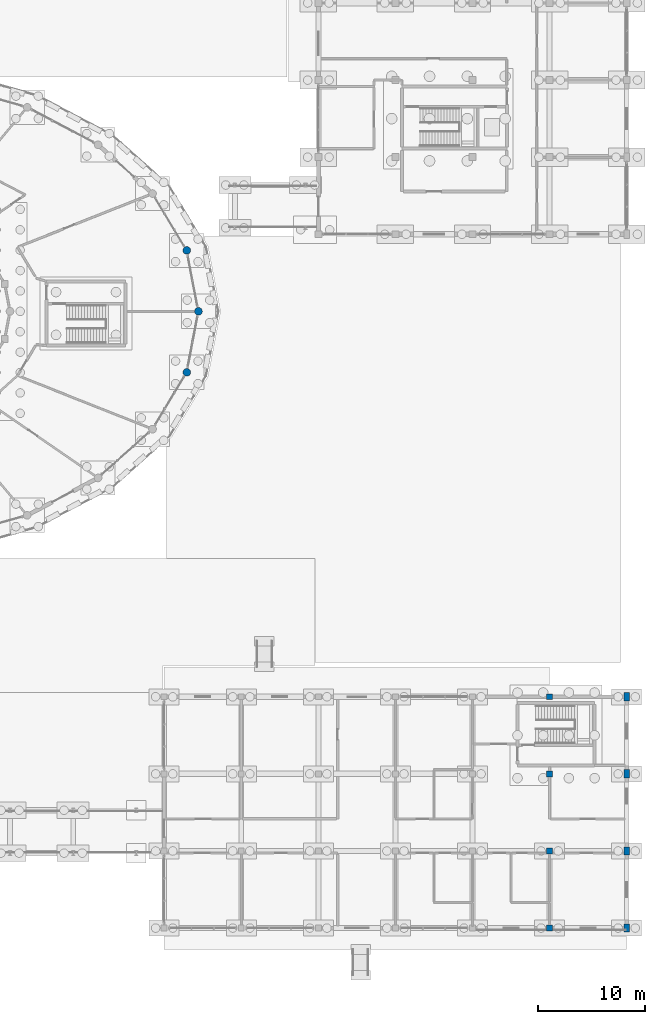
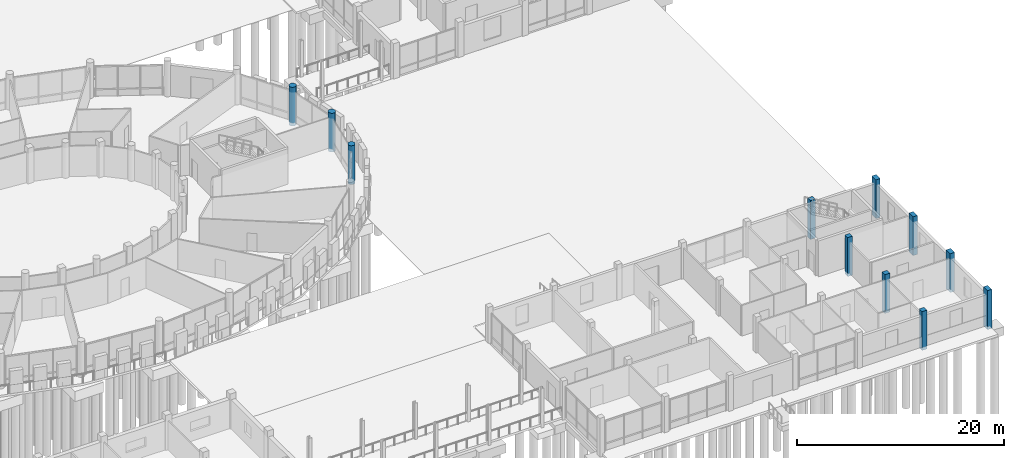
# One storey, part 14 of 98: 11 columns.
"""IFC4 building model written with IfcOpenShell, lengths in metres."""

import ifcopenshell
import ifcopenshell.guid

model = None  # the IFC model being written
_history = None  # IfcOwnerHistory: only IFC2X3 demands one
_inside = {}  # id of a spatial element -> (the spatial element, [elements in it])
_under = {}  # id of a project, library or spatial element -> (it, [spatial elements below it])
_declared = {}  # id of a project -> (the project, [libraries it declares])
_typed = {}  # id of a type object -> (the type object, [elements of that type])
_made_of = {}  # id of a material, layer set ... -> (it, [elements and type objects made of it])


def new_model(schema):
    """Start an empty IFC model of exactly this schema.

    Asked for "IFC4X3", IfcOpenShell would pick the latest addendum, in which some entities
    have other attributes; the version numbers below select the first issue.
    IFC2X3 requires an IfcOwnerHistory on every rooted entity: one is made here for all.
    """
    global model, _history
    if schema == "IFC4X3":
        model = ifcopenshell.file(schema_version=(4, 3, 0, 0))
    else:
        model = ifcopenshell.file(schema=schema)
    _inside.clear()
    _under.clear()
    _declared.clear()
    _typed.clear()
    _made_of.clear()
    _history = None
    if model.schema == "IFC2X3":
        org = make("IfcOrganization", Name="unknown")
        user = make(
            "IfcPersonAndOrganization",
            ThePerson=make("IfcPerson", FamilyName="unknown"),
            TheOrganization=org,
        )
        app = make(
            "IfcApplication",
            ApplicationDeveloper=org,
            Version="unknown",
            ApplicationFullName="unknown",
            ApplicationIdentifier="unknown",
        )
        _history = make(
            "IfcOwnerHistory",
            OwningUser=user,
            OwningApplication=app,
            ChangeAction="ADDED",
            CreationDate=0,
        )
    return model


def make(cls, **values):
    """One entity of the class cls with the attributes given. An attribute that is None is left unset."""
    return model.create_entity(
        cls, **{name: value for name, value in values.items() if value is not None}
    )


def rooted(cls, **values):
    """An entity with a GlobalId (a new one), such as an element, a storey or a relation."""
    return make(cls, GlobalId=ifcopenshell.guid.new(), OwnerHistory=_history, **values)


def si_unit(unit_type, name, prefix=None):
    """IfcSIUnit, for example si_unit("LENGTHUNIT", "METRE", prefix="MILLI")."""
    return make("IfcSIUnit", UnitType=unit_type, Prefix=prefix, Name=name)


def assignment(units):
    """IfcUnitAssignment: the units of a project."""
    return None if units is None else make("IfcUnitAssignment", Units=units)


def point(xyz):
    """IfcCartesianPoint."""
    return None if xyz is None else make("IfcCartesianPoint", Coordinates=xyz)


def direction(xyz):
    """IfcDirection."""
    return None if xyz is None else make("IfcDirection", DirectionRatios=xyz)


def frame(location, z_axis=None, x_axis=None):
    """IfcAxis2Placement3D, a coordinate frame: its origin and axes. An axis left out is left unset."""
    return make(
        "IfcAxis2Placement3D",
        Location=point(location),
        Axis=direction(z_axis),
        RefDirection=direction(x_axis),
    )


def frame_2d(location, x_axis=None):
    """IfcAxis2Placement2D, a coordinate frame in the plane: its origin and x axis."""
    return make(
        "IfcAxis2Placement2D", Location=point(location), RefDirection=direction(x_axis)
    )


def origin():
    """The frame at (0, 0, 0) with its axes left unset."""
    return frame((0.0, 0.0, 0.0))


def origin_2d():
    """The frame at (0, 0) in the plane with its x axis left unset."""
    return frame_2d((0.0, 0.0))


def place(relative_to, where):
    """IfcLocalPlacement: puts the frame where relative to a parent placement (None: the world)."""
    return make(
        "IfcLocalPlacement", PlacementRelTo=relative_to, RelativePlacement=where
    )


def context(
    kind, dimensions, precision=None, world=None, true_north=None, identifier=None
):
    """IfcGeometricRepresentationContext, for example the 3D "Model" context."""
    return make(
        "IfcGeometricRepresentationContext",
        ContextIdentifier=identifier,
        ContextType=kind,
        CoordinateSpaceDimension=dimensions,
        Precision=precision,
        WorldCoordinateSystem=world,
        TrueNorth=true_north,
    )


def subcontext(parent, identifier, kind, view, scale=None):
    """IfcGeometricRepresentationSubContext, for example "Body" below "Model"."""
    return make(
        "IfcGeometricRepresentationSubContext",
        ContextIdentifier=identifier,
        ContextType=kind,
        ParentContext=parent,
        TargetScale=scale,
        TargetView=view,
    )


def project(units=None, contexts=None):
    """IfcProject with its units and contexts."""
    return rooted(
        "IfcProject",
        Name="project",
        RepresentationContexts=contexts,
        UnitsInContext=assignment(units),
    )


def spatial(cls, under=None, at=None, **own):
    """A site, building, storey or space (cls), placed at a placement, below another one or the project."""
    s = rooted(cls, ObjectPlacement=at, **own)
    if under is not None:
        _under.setdefault(under.id(), (under, []))[1].append(s)
    return s


def profile(cls, at=None, kind="AREA", **sizes):
    """A parametric profile (cls). Its sizes go by their IFC names, for example OverallWidth=200.0."""
    return make(cls, ProfileType=kind, Position=at, **sizes)


def rectangle(**sizes):
    """IfcRectangleProfileDef."""
    return profile("IfcRectangleProfileDef", **sizes)


def circle(**sizes):
    """IfcCircleProfileDef."""
    return profile("IfcCircleProfileDef", **sizes)


def extrude(swept, where, along, depth):
    """IfcExtrudedAreaSolid: the profile swept, set in the frame where, extruded along a direction by depth."""
    return make(
        "IfcExtrudedAreaSolid",
        SweptArea=swept,
        Position=where,
        ExtrudedDirection=direction(along),
        Depth=depth,
    )


def shape(context_of_items, identifier, shape_type, items):
    """IfcShapeRepresentation: the items that make up one representation, for example the "Body"."""
    return make(
        "IfcShapeRepresentation",
        ContextOfItems=context_of_items,
        RepresentationIdentifier=identifier,
        RepresentationType=shape_type,
        Items=items,
    )


def material(Name=None, Category=None):
    """IfcMaterial."""
    return make("IfcMaterial", Name=Name, Category=Category)


def material_profile(
    of_material, cross_section, Name=None, Category=None, Priority=None
):
    """IfcMaterialProfile: a cross section and its material."""
    return make(
        "IfcMaterialProfile",
        Name=Name,
        Material=of_material,
        Profile=cross_section,
        Priority=Priority,
        Category=Category,
    )


def profile_set(profiles, Name=None, composite=None):
    """IfcMaterialProfileSet."""
    return make(
        "IfcMaterialProfileSet",
        Name=Name,
        MaterialProfiles=profiles,
        CompositeProfile=composite,
    )


def made_of(thing, what):
    """Note that an element or type object is made of a material, layer set ...; save() writes the relation."""
    if what is not None:
        _made_of.setdefault(what.id(), (what, []))[1].append(thing)
    return thing


def type_object(cls, material=None, **own):
    """A type object (cls), such as IfcWallType, which elements share."""
    return made_of(rooted(cls, **own), material)


def element(
    cls,
    number,
    at=None,
    inside=None,
    cuts=None,
    type_object=None,
    material=None,
    context=None,
    identifier="Body",
    shape_type=None,
    held_by="IfcProductDefinitionShape",
    body=None,
    shapes=None,
    **own,
):
    """One element of the class cls, such as IfcWall. Its Tag is "e" and its number.

    at: its placement. inside: the storey or other place that contains it. cuts: it is an
    opening in that element (IfcRelVoidsElement). A single representation is given by context,
    identifier, shape_type and body (its items); several are given by shapes. held_by: the class
    of the entity that holds the representations. save() writes the other relations.
    """
    e = rooted(cls, Tag="e%d" % number, ObjectPlacement=at, **own)
    if body is not None:
        shapes = [shape(context, identifier, shape_type, body)]
    if shapes is not None:
        e.Representation = make(held_by, Representations=shapes)
    if inside is not None:
        _inside.setdefault(inside.id(), (inside, []))[1].append(e)
    if cuts is not None:
        rooted(
            "IfcRelVoidsElement", RelatingBuildingElement=cuts, RelatedOpeningElement=e
        )
    if type_object is not None:
        _typed.setdefault(type_object.id(), (type_object, []))[1].append(e)
    return made_of(e, material)


def aggregate(whole, parts):
    """IfcRelAggregates: a whole, such as a stair, and the parts it consists of."""
    return rooted("IfcRelAggregates", RelatingObject=whole, RelatedObjects=parts)


def save(model, path):
    """Write the relations noted so far, then the file.

    IfcRelAggregates (storeys below a building ...), IfcRelContainedInSpatialStructure (elements
    in a storey), IfcRelDefinesByType, IfcRelAssociatesMaterial and IfcRelDeclares: one each for
    every whole, place, type object, material and project.
    """
    for whole, parts in _under.values():
        aggregate(whole, parts)
    for where, things in _inside.values():
        rooted(
            "IfcRelContainedInSpatialStructure",
            RelatedElements=things,
            RelatingStructure=where,
        )
    for kind, things in _typed.values():
        rooted("IfcRelDefinesByType", RelatedObjects=things, RelatingType=kind)
    for what, things in _made_of.values():
        rooted("IfcRelAssociatesMaterial", RelatedObjects=things, RelatingMaterial=what)
    for by, libraries in _declared.values():
        rooted("IfcRelDeclares", RelatingContext=by, RelatedDefinitions=libraries)
    model.write(path)


model = new_model("IFC4")

# Units and contexts
model_context = context("Model", 3, precision=1e-05, world=origin(), true_north=direction((0.0, 1.0)))
body_context = subcontext(model_context, "Body", "Model", "MODEL_VIEW")
ifc_project = project(units=[si_unit("LENGTHUNIT", "METRE"), si_unit("AREAUNIT", "SQUARE_METRE"), si_unit("VOLUMEUNIT", "CUBIC_METRE"), si_unit("PLANEANGLEUNIT", "RADIAN"), si_unit("MASSUNIT", "GRAM", prefix="KILO")], contexts=[model_context])

# Site, building, storey
site_placement = place(None, origin())
site = spatial("IfcSite", under=ifc_project, at=site_placement, CompositionType="ELEMENT")
building_placement = place(site_placement, origin())
building = spatial("IfcBuilding", under=site, at=building_placement, Name="Zornivar Specialist Clinic", CompositionType="ELEMENT")
storey_placement = place(building_placement, origin())
storey = spatial("IfcBuildingStorey", under=building, at=storey_placement, Name="L00", CompositionType="ELEMENT", Elevation=0.0)

# Columns
ifc_material_1 = material(Name="Concrete C35/45", Category="concrete")
ifc_material_profile_1 = material_profile(ifc_material_1, rectangle(XDim=0.47998046875, YDim=0.780029296875, at=origin_2d()), Name="RC 480x780")
ifc_profile_set_1 = profile_set([ifc_material_profile_1], Name="Concrete C35/45")
column_type_1 = type_object("IfcColumnType", Name="COL-RC-480x780", PredefinedType="PILASTER", material=ifc_profile_set_1)
for number, where, z_axis, x_axis, name in (
    (1, (165.60009765625, 0.0, -0.35009765625), (0.0, 0.0, 1.0), (1.0, 0.0, 0.0), "col:V4:L00:1656_0"),
    (2, (165.60009765625, 7.199951171875, -0.35009765625), (0.0, 0.0, 1.0), (1.0, 0.0, 0.0), "col:V4:L00:1656_72"),
    (3, (165.60009765625, 14.39990234375, -0.35009765625), (0.0, 0.0, 1.0), (1.0, 0.0, 0.0), "col:V4:L00:1656_144"),
    (4, (165.60009765625, 21.60009765625, -0.35009765625), (0.0, 0.0, 1.0), (1.0, 0.0, 0.0), "col:V4:L00:1656_216"),
):
    element("IfcColumn", number, at=place(storey_placement, frame(where, z_axis=z_axis, x_axis=x_axis)), inside=storey, type_object=column_type_1, Name=name, PredefinedType="PILASTER", context=body_context, shape_type="SweptSolid", body=[
        extrude(rectangle(XDim=0.47998046875, YDim=0.780029296875, at=origin_2d()), origin(), (0.0, 0.0, 1.0), 4.590087890625),
    ])
ifc_material_2 = material(Name="Concrete C35/45", Category="concrete")
ifc_material_profile_2 = material_profile(ifc_material_2, rectangle(XDim=0.550048828125, YDim=0.550048828125, at=origin_2d()), Name="RC 550x550")
ifc_profile_set_2 = profile_set([ifc_material_profile_2], Name="Concrete C35/45")
column_type_2 = type_object("IfcColumnType", Name="COL-RC-550", PredefinedType="COLUMN", material=ifc_profile_set_2)
for number, where, z_axis, x_axis, name in (
    (5, (158.39990234375, 0.0, -0.35009765625), (0.0, 0.0, 1.0), (1.0, 0.0, 0.0), "col:V4:L00:1584_0"),
    (6, (158.39990234375, 7.199951171875, -0.35009765625), (0.0, 0.0, 1.0), (1.0, 0.0, 0.0), "col:V4:L00:1584_72"),
    (7, (158.39990234375, 14.39990234375, -0.35009765625), (0.0, 0.0, 1.0), (1.0, 0.0, 0.0), "col:V4:L00:1584_144"),
    (8, (158.39990234375, 21.60009765625, -0.35009765625), (0.0, 0.0, 1.0), (1.0, 0.0, 0.0), "col:V4:L00:1584_216"),
):
    element("IfcColumn", number, at=place(storey_placement, frame(where, z_axis=z_axis, x_axis=x_axis)), inside=storey, type_object=column_type_2, Name=name, PredefinedType="COLUMN", context=body_context, shape_type="SweptSolid", body=[
        extrude(rectangle(XDim=0.550048828125, YDim=0.550048828125, at=origin_2d()), origin(), (0.0, 0.0, 1.0), 4.590087890625),
    ])
ifc_material_3 = material(Name="Concrete C35/45", Category="concrete")
ifc_material_profile_3 = material_profile(ifc_material_3, circle(Radius=0.360107421875, at=origin_2d()), Name="RC D720")
ifc_profile_set_3 = profile_set([ifc_material_profile_3], Name="Concrete C35/45")
column_type_3 = type_object("IfcColumnType", Name="COL-RC-D720", PredefinedType="COLUMN", material=ifc_profile_set_3)
for number, where, z_axis, x_axis, name in (
    (9, (125.60009765625, 57.60009765625, -0.3798828125), (0.0, 0.0, 1.0), (1.0, 0.0, 0.0), "col:V1:L00:out:00"),
    (10, (124.510009765625, 63.2939453125, -0.3798828125), (0.0, 0.0, 1.0), (1.0, 0.0, 0.0), "col:V1:L00:out:01"),
    (11, (124.510009765625, 51.906005859375, -0.3798828125), (0.0, 0.0, 1.0), (1.0, 0.0, 0.0), "col:V1:L00:out:23"),
):
    element("IfcColumn", number, at=place(storey_placement, frame(where, z_axis=z_axis, x_axis=x_axis)), inside=storey, type_object=column_type_3, Name=name, PredefinedType="COLUMN", context=body_context, shape_type="SweptSolid", body=[
        extrude(circle(Radius=0.360107421875, at=origin_2d()), origin(), (0.0, 0.0, 1.0), 4.58984375),
    ])

save(model, "model.ifc")
